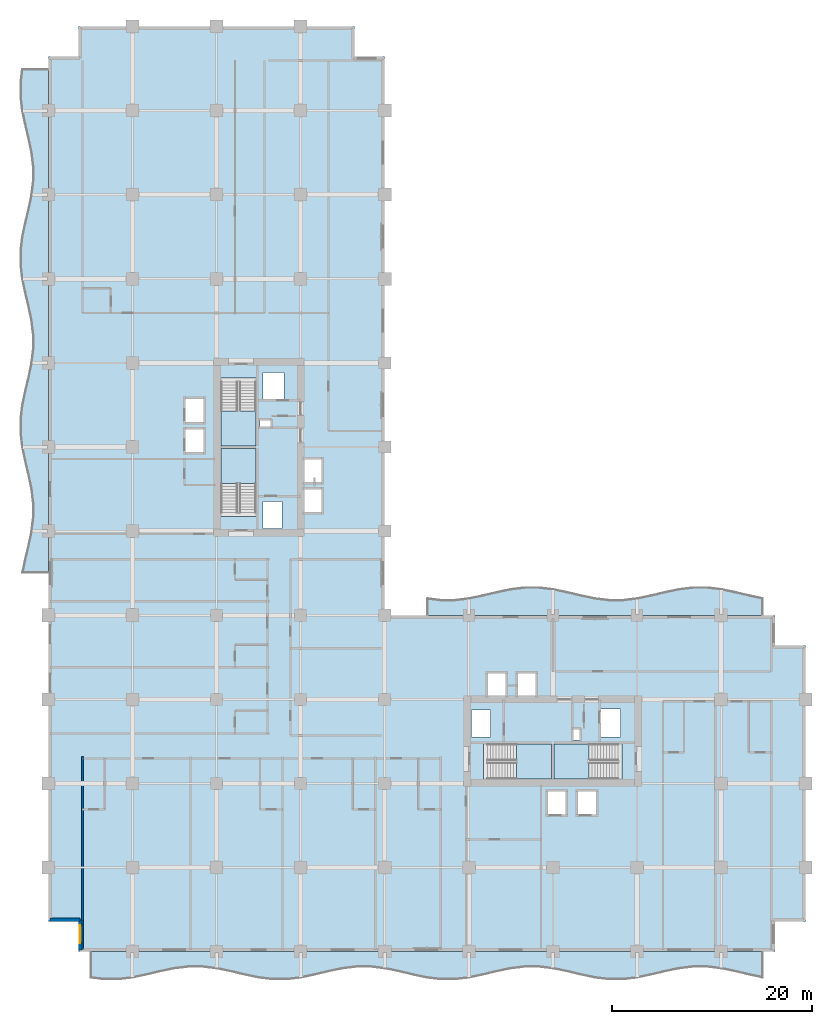
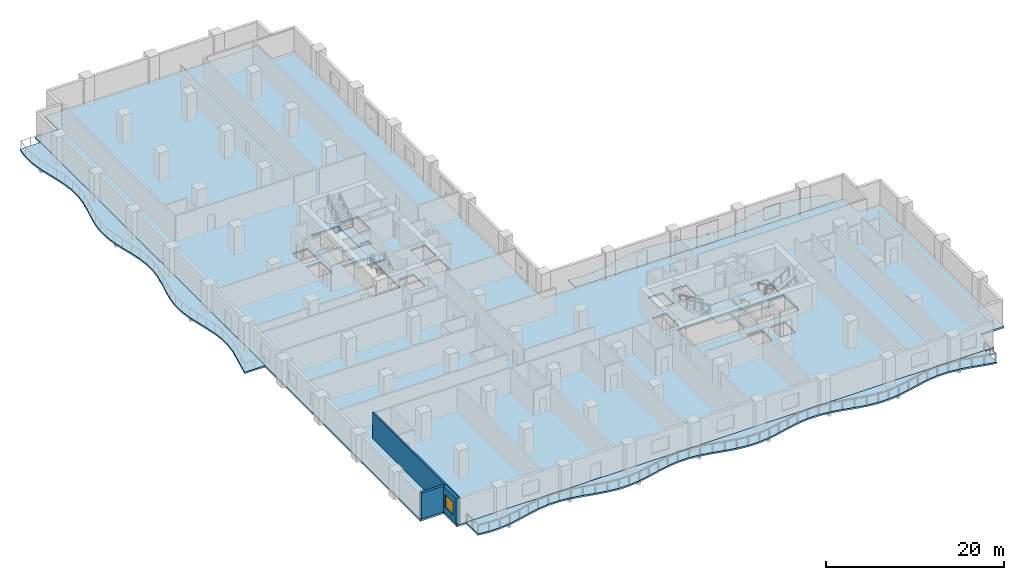
# One storey, part 3 of 18: 8 slabs, 3 walls, 1 window, 1 opening, 4 elements without a shape of their own.
"""IFC4 building model written with IfcOpenShell, lengths in metres."""

from ifc_helpers import new_model, si_unit, direction, frame, frame_2d, origin, place, context, subcontext, project, spatial, polyline, rectangle, outline, extrude, material, layer, layer_set, type_object, element, fill, aggregate, save


model = new_model("IFC4")

# Units and contexts
model_context = context("Model", 3, precision=1e-05, world=origin(), true_north=direction((0.0, 1.0)))
body_context = subcontext(model_context, "Body", "Model", "MODEL_VIEW")
ifc_project = project(units=[si_unit("LENGTHUNIT", "METRE"), si_unit("AREAUNIT", "SQUARE_METRE"), si_unit("VOLUMEUNIT", "CUBIC_METRE"), si_unit("PLANEANGLEUNIT", "RADIAN"), si_unit("MASSUNIT", "GRAM", prefix="KILO")], contexts=[model_context])

# Site, building, storey
site_placement = place(None, origin())
site = spatial("IfcSite", under=ifc_project, at=site_placement, CompositionType="ELEMENT")
building_placement = place(site_placement, origin())
building = spatial("IfcBuilding", under=site, at=building_placement, Name="Koriwani Terraces Tower", CompositionType="ELEMENT")
storey_placement = place(building_placement, frame((0.0, 0.0, 115.199951171875)))
storey = spatial("IfcBuildingStorey", under=building, at=storey_placement, Name="L27", CompositionType="ELEMENT", Elevation=115.199951171875)

# Slabs
ifc_material_1 = material(Name="Concrete C40/50", Category="concrete")
ifc_layer_1 = layer(ifc_material_1, 0.219970703125, Name="Concrete C40/50")
ifc_layer_set_1 = layer_set([ifc_layer_1], Name="Concrete C40/50")
slab_type_1 = type_object("IfcSlabType", Name="SLAB_BALCONY_220", PredefinedType="FLOOR", material=ifc_layer_set_1)
slab_1_placement = place(storey_placement, frame((0.0, 0.0, -0.219970703125)))
element("IfcSlab", 1, at=slab_1_placement, inside=storey, type_object=slab_type_1, Name="L27 Quilted Circular-Arc Balcony (S)", PredefinedType="FLOOR", context=body_context, shape_type="SweptSolid", body=[
    extrude(outline(polyline([(4.199951171875, 0.0), (5.60009765625, 0.0), (7.0, 0.0), (8.39990234375, 0.0), (9.800048828125, 0.0), (11.199951171875, 0.0), (12.60009765625, 0.0), (14.0, 0.0), (15.39990234375, 0.0), (16.800048828125, 0.0), (18.199951171875, 0.0), (19.60009765625, 0.0), (21.0, 0.0), (22.39990234375, 0.0), (23.800048828125, 0.0), (25.199951171875, 0.0), (26.60009765625, 0.0), (28.0, 0.0), (29.39990234375, 0.0), (30.800048828125, 0.0), (32.199951171875, 0.0), (33.60009765625, 0.0), (35.0, 0.0), (36.39990234375, 0.0), (37.800048828125, 0.0), (39.199951171875, 0.0), (40.60009765625, 0.0), (42.0, 0.0), (43.39990234375, 0.0), (44.800048828125, 0.0), (46.199951171875, 0.0), (47.60009765625, 0.0), (49.0, 0.0), (50.39990234375, 0.0), (51.800048828125, 0.0), (53.199951171875, 0.0), (54.60009765625, 0.0), (56.0, 0.0), (57.39990234375, 0.0), (58.800048828125, 0.0), (60.199951171875, 0.0), (61.60009765625, 0.0), (63.0, 0.0), (64.39990234375, 0.0), (65.800048828125, 0.0), (67.199951171875, 0.0), (68.60009765625, 0.0), (70.0, 0.0), (71.39990234375, 0.0), (71.39990234375, -2.65966796875), (70.0, -2.3681640625), (68.60009765625, -2.03173828125), (67.199951171875, -1.740478515625), (65.800048828125, -1.572021484375), (64.39990234375, -1.572021484375), (63.0, -1.740478515625), (61.60009765625, -2.03173828125), (60.199951171875, -2.3681640625), (58.800048828125, -2.65966796875), (57.39990234375, -2.827880859375), (56.0, -2.827880859375), (54.60009765625, -2.65966796875), (53.199951171875, -2.3681640625), (51.800048828125, -2.03173828125), (50.39990234375, -1.740478515625), (49.0, -1.572021484375), (47.60009765625, -1.572021484375), (46.199951171875, -1.740478515625), (44.800048828125, -2.03173828125), (43.39990234375, -2.3681640625), (42.0, -2.65966796875), (40.60009765625, -2.827880859375), (39.199951171875, -2.827880859375), (37.800048828125, -2.65966796875), (36.39990234375, -2.3681640625), (35.0, -2.03173828125), (33.60009765625, -1.740478515625), (32.199951171875, -1.572021484375), (30.800048828125, -1.572021484375), (29.39990234375, -1.740478515625), (28.0, -2.03173828125), (26.60009765625, -2.3681640625), (25.199951171875, -2.65966796875), (23.800048828125, -2.827880859375), (22.39990234375, -2.827880859375), (21.0, -2.65966796875), (19.60009765625, -2.3681640625), (18.199951171875, -2.03173828125), (16.800048828125, -1.740478515625), (15.39990234375, -1.572021484375), (14.0, -1.572021484375), (12.60009765625, -1.740478515625), (11.199951171875, -2.03173828125), (9.800048828125, -2.3681640625), (8.39990234375, -2.65966796875), (7.0, -2.827880859375), (5.60009765625, -2.827880859375), (4.199951171875, -2.65966796875), (4.199951171875, 0.0)])), origin(), (0.0, 0.0, 1.0), 0.219970703125),
])
slab_2_placement = place(storey_placement, frame((0.0, 0.0, -0.219970703125)))
element("IfcSlab", 2, at=slab_2_placement, inside=storey, type_object=slab_type_1, Name="L27 Quilted Circular-Arc Balcony (W)", PredefinedType="FLOOR", context=body_context, shape_type="SweptSolid", body=[
    extrude(outline(polyline([(0.0, 37.800048828125), (0.0, 39.199951171875), (0.0, 40.60009765625), (0.0, 42.0), (0.0, 43.39990234375), (0.0, 44.800048828125), (0.0, 46.199951171875), (0.0, 47.60009765625), (0.0, 49.0), (0.0, 50.39990234375), (0.0, 51.800048828125), (0.0, 53.199951171875), (0.0, 54.60009765625), (0.0, 56.0), (0.0, 57.39990234375), (0.0, 58.800048828125), (0.0, 60.199951171875), (0.0, 61.60009765625), (0.0, 63.0), (0.0, 64.39990234375), (0.0, 65.800048828125), (0.0, 67.199951171875), (0.0, 68.60009765625), (0.0, 70.0), (0.0, 71.39990234375), (0.0, 72.800048828125), (0.0, 74.199951171875), (0.0, 75.60009765625), (0.0, 77.0), (0.0, 78.39990234375), (0.0, 79.800048828125), (0.0, 81.199951171875), (0.0, 82.60009765625), (0.0, 84.0), (0.0, 85.39990234375), (0.0, 86.800048828125), (0.0, 88.199951171875), (-2.65966796875, 88.199951171875), (-2.827880859375, 86.800048828125), (-2.827880859375, 85.39990234375), (-2.65966796875, 84.0), (-2.3681640625, 82.60009765625), (-2.03173828125, 81.199951171875), (-1.740478515625, 79.800048828125), (-1.572021484375, 78.39990234375), (-1.572021484375, 77.0), (-1.740478515625, 75.60009765625), (-2.03173828125, 74.199951171875), (-2.3681640625, 72.800048828125), (-2.65966796875, 71.39990234375), (-2.827880859375, 70.0), (-2.827880859375, 68.60009765625), (-2.65966796875, 67.199951171875), (-2.3681640625, 65.800048828125), (-2.03173828125, 64.39990234375), (-1.740478515625, 63.0), (-1.572021484375, 61.60009765625), (-1.572021484375, 60.199951171875), (-1.740478515625, 58.800048828125), (-2.03173828125, 57.39990234375), (-2.3681640625, 56.0), (-2.65966796875, 54.60009765625), (-2.827880859375, 53.199951171875), (-2.827880859375, 51.800048828125), (-2.65966796875, 50.39990234375), (-2.3681640625, 49.0), (-2.03173828125, 47.60009765625), (-1.740478515625, 46.199951171875), (-1.572021484375, 44.800048828125), (-1.572021484375, 43.39990234375), (-1.740478515625, 42.0), (-2.03173828125, 40.60009765625), (-2.3681640625, 39.199951171875), (-2.65966796875, 37.800048828125), (0.0, 37.800048828125)])), origin(), (0.0, 0.0, 1.0), 0.219970703125),
])
slab_3_placement = place(storey_placement, frame((0.0, 0.0, -0.219970703125)))
element("IfcSlab", 3, at=slab_3_placement, inside=storey, type_object=slab_type_1, Name="L27 Quilted Circular-Arc Balcony (NE)", PredefinedType="FLOOR", context=body_context, shape_type="SweptSolid", body=[
    extrude(outline(polyline([(71.39990234375, 33.60009765625), (70.0, 33.60009765625), (68.60009765625, 33.60009765625), (67.199951171875, 33.60009765625), (65.800048828125, 33.60009765625), (64.39990234375, 33.60009765625), (63.0, 33.60009765625), (61.60009765625, 33.60009765625), (60.199951171875, 33.60009765625), (58.800048828125, 33.60009765625), (57.39990234375, 33.60009765625), (56.0, 33.60009765625), (54.60009765625, 33.60009765625), (53.199951171875, 33.60009765625), (51.800048828125, 33.60009765625), (50.39990234375, 33.60009765625), (49.0, 33.60009765625), (47.60009765625, 33.60009765625), (46.199951171875, 33.60009765625), (44.800048828125, 33.60009765625), (43.39990234375, 33.60009765625), (42.0, 33.60009765625), (40.60009765625, 33.60009765625), (39.199951171875, 33.60009765625), (37.800048828125, 33.60009765625), (37.800048828125, 35.34033203125), (39.199951171875, 35.172119140625), (40.60009765625, 35.172119140625), (42.0, 35.34033203125), (43.39990234375, 35.6318359375), (44.800048828125, 35.96826171875), (46.199951171875, 36.259521484375), (47.60009765625, 36.427978515625), (49.0, 36.427978515625), (50.39990234375, 36.259521484375), (51.800048828125, 35.96826171875), (53.199951171875, 35.6318359375), (54.60009765625, 35.34033203125), (56.0, 35.172119140625), (57.39990234375, 35.172119140625), (58.800048828125, 35.34033203125), (60.199951171875, 35.6318359375), (61.60009765625, 35.96826171875), (63.0, 36.259521484375), (64.39990234375, 36.427978515625), (65.800048828125, 36.427978515625), (67.199951171875, 36.259521484375), (68.60009765625, 35.96826171875), (70.0, 35.6318359375), (71.39990234375, 35.34033203125), (71.39990234375, 33.60009765625)])), origin(), (0.0, 0.0, 1.0), 0.219970703125),
])

# Stair, slab
stair_type = type_object("IfcStairType", Name="STAIR_CORE_DOGLEG_1650", PredefinedType="TWO_STRAIGHT_RUN_STAIR", material=ifc_material_1)
stair_1_placement = place(storey_placement, origin())
stair_1 = element("IfcStair", 4, at=stair_1_placement, inside=storey, type_object=stair_type, Name="L27 West Core Exit Stair 1", PredefinedType="HALF_TURN_STAIR")
ifc_layer_2 = layer(ifc_material_1, 0.199951171875, Name="Concrete C40/50")
ifc_layer_set_2 = layer_set([ifc_layer_2], Name="Concrete C40/50")
slab_type_2 = type_object("IfcSlabType", Name="SLAB_STAIR_LANDING_200", PredefinedType="LANDING", material=ifc_layer_set_2)
slab_4_placement = place(storey_placement, frame((0.0, 0.0, 1.699951171875)))
slab_4 = element("IfcSlab", 5, at=slab_4_placement, type_object=slab_type_2, Name="ST-W1 landing 1", PredefinedType="LANDING", context=body_context, shape_type="SweptSolid", body=[
    extrude(outline(polyline([(20.75, 46.75), (20.75, 50.25), (17.25, 50.25), (17.25, 46.75), (20.75, 46.75)])), origin(), (0.0, 0.0, 1.0), 0.2001953125),
])
aggregate(stair_1, [slab_4])

stair_2_placement = place(storey_placement, origin())
stair_2 = element("IfcStair", 6, at=stair_2_placement, inside=storey, type_object=stair_type, Name="L27 West Core Exit Stair 2", PredefinedType="HALF_TURN_STAIR")
slab_5_placement = place(storey_placement, frame((0.0, 0.0, 1.699951171875)))
slab_5 = element("IfcSlab", 7, at=slab_5_placement, type_object=slab_type_2, Name="ST-W2 landing 1", PredefinedType="LANDING", context=body_context, shape_type="SweptSolid", body=[
    extrude(outline(polyline([(17.25, 54.0), (17.25, 50.5), (20.75, 50.5), (20.75, 54.0), (17.25, 54.0)])), origin(), (0.0, 0.0, 1.0), 0.2001953125),
])
aggregate(stair_2, [slab_5])

stair_3_placement = place(storey_placement, origin())
stair_3 = element("IfcStair", 8, at=stair_3_placement, inside=storey, type_object=stair_type, Name="L27 East Core Exit Stair 1", PredefinedType="HALF_TURN_STAIR")
slab_6_placement = place(storey_placement, frame((0.0, 0.0, 1.699951171875)))
slab_6 = element("IfcSlab", 9, at=slab_6_placement, type_object=slab_type_2, Name="ST-E1 landing 1", PredefinedType="LANDING", context=body_context, shape_type="SweptSolid", body=[
    extrude(outline(polyline([(46.75, 17.25), (50.25, 17.25), (50.25, 20.75), (46.75, 20.75), (46.75, 17.25)])), origin(), (0.0, 0.0, 1.0), 0.2001953125),
])
aggregate(stair_3, [slab_6])

stair_4_placement = place(storey_placement, origin())
stair_4 = element("IfcStair", 10, at=stair_4_placement, inside=storey, type_object=stair_type, Name="L27 East Core Exit Stair 2", PredefinedType="HALF_TURN_STAIR")
slab_7_placement = place(storey_placement, frame((0.0, 0.0, 1.699951171875)))
slab_7 = element("IfcSlab", 11, at=slab_7_placement, type_object=slab_type_2, Name="ST-E2 landing 1", PredefinedType="LANDING", context=body_context, shape_type="SweptSolid", body=[
    extrude(outline(polyline([(54.0, 20.75), (50.5, 20.75), (50.5, 17.25), (54.0, 17.25), (54.0, 20.75)])), origin(), (0.0, 0.0, 1.0), 0.2001953125),
])
aggregate(stair_4, [slab_7])

# Slab
ifc_layer_3 = layer(ifc_material_1, 0.25, Name="Concrete C40/50")
ifc_layer_set_3 = layer_set([ifc_layer_3], Name="Concrete C40/50")
slab_type_3 = type_object("IfcSlabType", Name="SLAB_TOWER_TYP_250", PredefinedType="FLOOR", material=ifc_layer_set_3)
slab_8_placement = place(storey_placement, frame((0.0, 0.0, -0.25)))
element("IfcSlab", 12, at=slab_8_placement, inside=storey, type_object=slab_type_3, Name="L27 Structural Floor Slab", PredefinedType="FLOOR", context=body_context, shape_type="SweptSolid", body=[
    extrude(outline(polyline([(3.0, 0.0), (72.60009765625, 0.0), (72.60009765625, 3.0), (75.60009765625, 3.0), (75.60009765625, 30.60009765625), (72.60009765625, 30.60009765625), (72.60009765625, 33.60009765625), (33.60009765625, 33.60009765625), (33.60009765625, 89.39990234375), (30.60009765625, 89.39990234375), (30.60009765625, 92.39990234375), (3.0, 92.39990234375), (3.0, 89.39990234375), (0.0, 89.39990234375), (0.0, 3.0), (3.0, 3.0), (3.0, 0.0)]), holes=[polyline([(17.25, 43.4599609375), (20.75, 43.4599609375), (20.75, 50.25), (17.25, 50.25), (17.25, 43.4599609375)]), polyline([(17.25, 50.5), (20.75, 50.5), (20.75, 57.2900390625), (17.25, 57.2900390625), (17.25, 50.5)]), polyline([(43.4599609375, 17.25), (50.25, 17.25), (50.25, 20.75), (43.4599609375, 20.75), (43.4599609375, 17.25)]), polyline([(50.5, 17.25), (57.2900390625, 17.25), (57.2900390625, 20.75), (50.5, 20.75), (50.5, 17.25)]), polyline([(13.64990234375, 49.85009765625), (15.550048828125, 49.85009765625), (15.550048828125, 52.25), (13.64990234375, 52.25), (13.64990234375, 49.85009765625)]), polyline([(13.64990234375, 52.85009765625), (15.550048828125, 52.85009765625), (15.550048828125, 55.25), (13.64990234375, 55.25), (13.64990234375, 52.85009765625)]), polyline([(49.85009765625, 13.64990234375), (51.75, 13.64990234375), (51.75, 16.050048828125), (49.85009765625, 16.050048828125), (49.85009765625, 13.64990234375)]), polyline([(52.85009765625, 13.64990234375), (54.75, 13.64990234375), (54.75, 16.050048828125), (52.85009765625, 16.050048828125), (52.85009765625, 13.64990234375)]), polyline([(25.449951171875, 43.85009765625), (27.35009765625, 43.85009765625), (27.35009765625, 46.25), (25.449951171875, 46.25), (25.449951171875, 43.85009765625)]), polyline([(25.449951171875, 46.85009765625), (27.35009765625, 46.85009765625), (27.35009765625, 49.25), (25.449951171875, 49.25), (25.449951171875, 46.85009765625)]), polyline([(43.85009765625, 25.449951171875), (45.75, 25.449951171875), (45.75, 27.85009765625), (43.85009765625, 27.85009765625), (43.85009765625, 25.449951171875)]), polyline([(46.85009765625, 25.449951171875), (48.75, 25.449951171875), (48.75, 27.85009765625), (46.85009765625, 27.85009765625), (46.85009765625, 25.449951171875)]), polyline([(21.449951171875, 55.050048828125), (23.550048828125, 55.050048828125), (23.550048828125, 57.85009765625), (21.449951171875, 57.85009765625), (21.449951171875, 55.050048828125)]), polyline([(55.050048828125, 21.449951171875), (57.14990234375, 21.449951171875), (57.14990234375, 24.25), (55.050048828125, 24.25), (55.050048828125, 21.449951171875)]), polyline([(21.449951171875, 42.25), (23.35009765625, 42.25), (23.35009765625, 44.949951171875), (21.449951171875, 44.949951171875), (21.449951171875, 42.25)]), polyline([(42.25, 21.449951171875), (44.14990234375, 21.449951171875), (44.14990234375, 24.14990234375), (42.25, 24.14990234375), (42.25, 21.449951171875)]), polyline([(21.14990234375, 52.419921875), (22.219970703125, 52.419921875), (22.219970703125, 53.179931640625), (21.14990234375, 53.179931640625), (21.14990234375, 52.419921875)]), polyline([(52.419921875, 21.14990234375), (53.179931640625, 21.14990234375), (53.179931640625, 22.219970703125), (52.419921875, 22.219970703125), (52.419921875, 21.14990234375)])]), origin(), (0.0, 0.0, 1.0), 0.25),
])

# Wall
ifc_material_2 = material(Name="Autoclaved Cellular Concrete Blockwork", Category="masonry")
ifc_layer_4 = layer(ifc_material_2, 0.219970703125, Name="Autoclaved Cellular Concrete Blockwork")
ifc_layer_set_4 = layer_set([ifc_layer_4], Name="Autoclaved Cellular Concrete Blockwork")
wall_type_1 = type_object("IfcWallType", Name="WALL_DEMISING_220", PredefinedType="PARTITIONING", material=ifc_layer_set_4)
wall_1_placement = place(storey_placement, frame((3.39990234375, 0.199951171875, 0.0), z_axis=(0.0, 0.0, 1.0), x_axis=(0.0, 1.0, 0.0)))
element("IfcWall", 13, at=wall_1_placement, inside=storey, type_object=wall_type_1, Name="L27 Interior Wall WDEM-L27-SW-0", PredefinedType="PARTITIONING", context=body_context, shape_type="SweptSolid", body=[
    extrude(rectangle(XDim=19.280029296875, YDim=0.219970703125, at=frame_2d((9.64013671875, 0.0))), origin(), (0.0, 0.0, 1.0), 3.550048828125),
])

# Wall, opening, window
ifc_material_3 = material(Name="Concrete C50/60", Category="concrete")
ifc_layer_5 = layer(ifc_material_3, 0.35009765625, Name="Concrete C50/60")
ifc_layer_set_5 = layer_set([ifc_layer_5], Name="Concrete C50/60")
wall_type_2 = type_object("IfcWallType", Name="WALL_EXT_BRUTALIST_350", PredefinedType="STANDARD", material=ifc_layer_set_5)
wall_2_placement = place(storey_placement, frame((3.175048828125, 0.175048828125, 0.0), z_axis=(0.0, 0.0, 1.0), x_axis=(0.0, 1.0, 0.0)))
wall_2 = element("IfcWall", 14, at=wall_2_placement, inside=storey, type_object=wall_type_2, Name="L27 Fair-Faced Brutalist Exterior Wall (N0)", PredefinedType="STANDARD", context=body_context, shape_type="SweptSolid", body=[
    extrude(rectangle(XDim=3.0, YDim=0.35009765625, at=frame_2d((1.5, 0.0))), origin(), (0.0, 0.0, 1.0), 3.550048828125),
])
opening_placement = place(wall_2_placement, frame((0.677490234375, 0.0, 0.85009765625)))
opening = element("IfcOpeningElement", 15, at=opening_placement, cuts=wall_2, Name="Opening W-04", PredefinedType="OPENING", context=body_context, shape_type="SweptSolid", body=[
    extrude(rectangle(XDim=1.800048828125, YDim=1.800048828125, at=frame_2d((0.89990234375, 0.89990234375))), frame((0.0, 0.18505859375, 0.0), z_axis=(0.0, -1.0, 0.0), x_axis=(1.0, 0.0, 0.0)), (0.0, 0.0, 1.0), 0.3701171875),
])
ifc_material_4 = material(Name="Tempered Laminated Low-E Glass", Category="glass")
window_type = type_object("IfcWindowType", Name="WIN_RES_BED_1800X1800", PartitioningType="DOUBLE_PANEL_VERTICAL", PredefinedType="WINDOW", material=ifc_material_4)
window_placement = place(opening_placement, origin())
window = element("IfcWindow", 16, at=window_placement, inside=storey, type_object=window_type, Name="L27 Exterior Window (N0-R31)", OverallHeight=1.800048828125, OverallWidth=1.800048828125, PartitioningType="SINGLE_PANEL", PredefinedType="WINDOW", context=body_context, shape_type="SweptSolid", body=[
    extrude(rectangle(XDim=1.800048828125, YDim=1.800048828125, at=frame_2d((0.89990234375, 0.89990234375))), frame((0.0, 0.030029296875, 0.0), z_axis=(0.0, -1.0, 0.0), x_axis=(1.0, 0.0, 0.0)), (0.0, 0.0, 1.0), 0.06005859375),
])
fill(opening, window)

# Wall
wall_3_placement = place(storey_placement, frame((3.175048828125, 3.175048828125, 0.0), z_axis=(0.0, 0.0, 1.0), x_axis=(-1.0, 0.0, 0.0)))
element("IfcWall", 17, at=wall_3_placement, inside=storey, type_object=wall_type_2, Name="L27 Fair-Faced Brutalist Exterior Wall (N1)", PredefinedType="STANDARD", context=body_context, shape_type="SweptSolid", body=[
    extrude(rectangle(XDim=3.0, YDim=0.35009765625, at=frame_2d((1.5, 0.0))), origin(), (0.0, 0.0, 1.0), 3.550048828125),
])

save(model, "model.ifc")
